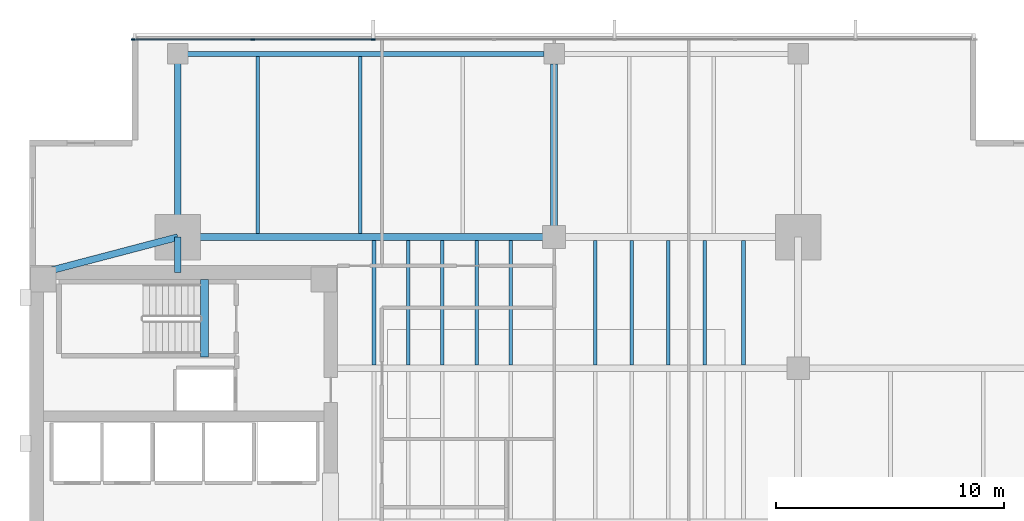
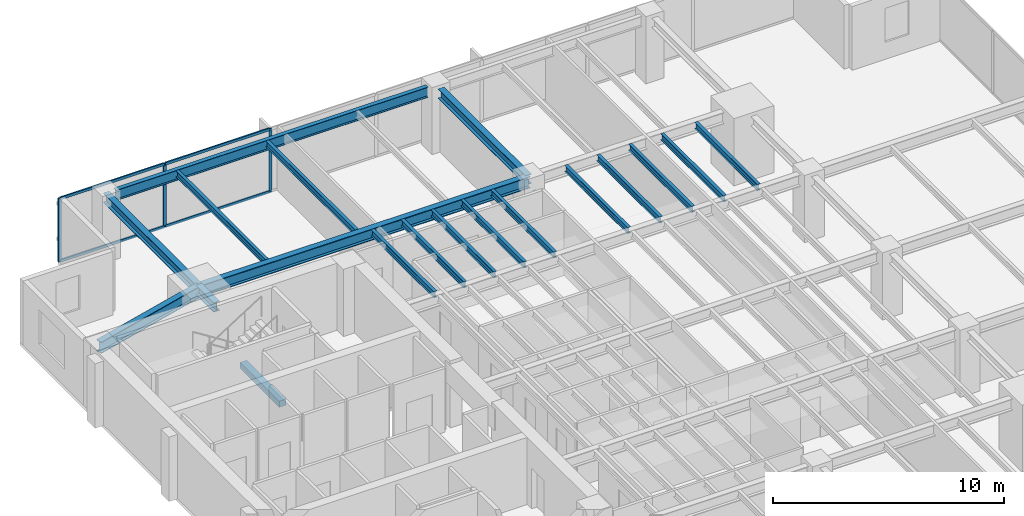
# One storey, part 5 of 14: 19 beams, 7 members, 1 element without a shape of its own.
"""IFC4 building model written with IfcOpenShell, lengths in metres."""

from ifc_helpers import new_model, si_unit, direction, frame, origin, origin_2d, place, context, subcontext, project, spatial, rectangle, i_section, extrude, material, layer, layer_set, material_profile, profile_set, type_object, element, aggregate, save


model = new_model("IFC4")

# Units and contexts
model_context = context("Model", 3, precision=1e-05, world=origin(), true_north=direction((0.0, 1.0)))
body_context = subcontext(model_context, "Body", "Model", "MODEL_VIEW")
ifc_project = project(units=[si_unit("LENGTHUNIT", "METRE"), si_unit("AREAUNIT", "SQUARE_METRE"), si_unit("VOLUMEUNIT", "CUBIC_METRE"), si_unit("PLANEANGLEUNIT", "RADIAN"), si_unit("MASSUNIT", "GRAM", prefix="KILO")], contexts=[model_context])

# Site, building, storey
site_placement = place(None, origin())
site = spatial("IfcSite", under=ifc_project, at=site_placement, CompositionType="ELEMENT")
building_placement = place(site_placement, origin())
building = spatial("IfcBuilding", under=site, at=building_placement, Name="Kinhvarn Gate Tower", CompositionType="ELEMENT")
storey_placement = place(building_placement, frame((0.0, 0.0, 144.85009765625)))
storey = spatial("IfcBuildingStorey", under=building, at=storey_placement, Name="L38", CompositionType="ELEMENT", Elevation=144.85009765625)

# Beam
ifc_material_1 = material(Name="Concrete C50/60", Category="concrete")
ifc_material_profile_1 = material_profile(ifc_material_1, rectangle(XDim=0.340087890625, YDim=0.320068359375, at=origin_2d()), Name="RC 340x320")
ifc_profile_set_1 = profile_set([ifc_material_profile_1], Name="Concrete C50/60")
beam_type_1 = type_object("IfcBeamType", Name="BM-LND-500", PredefinedType="BEAM", material=ifc_profile_set_1)
beam_1_placement = place(storey_placement, frame((12.1650390625, 32.5, -0.16015625), z_axis=(0.0, 1.0, 0.0), x_axis=(-1.0, 0.0, 0.0)))
element("IfcBeam", 1, at=beam_1_placement, inside=storey, type_object=beam_type_1, Name="Stair ST2 Landing Nosing Beam (L38)", PredefinedType="BEAM", context=body_context, shape_type="SweptSolid", body=[
    extrude(rectangle(XDim=0.340087890625, YDim=0.320068359375, at=origin_2d()), origin(), (0.0, 0.0, 1.0), 3.39990234375),
])

# Curtain wall, members
ifc_material_2 = material(Name="Anodised aluminium AW-6063", Category="aluminium")
ifc_layer = layer(ifc_material_2, 0.179931640625)
ifc_layer_set = layer_set([ifc_layer], Name="Anodised aluminium AW-6063")
curtain_wall_type = type_object("IfcCurtainWallType", Name="CW-SYS-3", PredefinedType="NOTDEFINED", material=ifc_layer_set)
curtain_wall_placement = place(storey_placement, origin())
curtain_wall = element("IfcCurtainWall", 2, at=curtain_wall_placement, inside=storey, type_object=curtain_wall_type, Name="Curtain Wall CW3 (L38)", PredefinedType="NOTDEFINED")
ifc_material_profile_2 = material_profile(ifc_material_2, rectangle(XDim=0.06494140625, YDim=0.159912109375, at=origin_2d()), Name="ALU 65x160")
ifc_profile_set_2 = profile_set([ifc_material_profile_2], Name="Anodised aluminium AW-6063")
member_type_1 = type_object("IfcMemberType", Name="CW-MUL-160", PredefinedType="MULLION", material=ifc_profile_set_2)
member_1_placement = place(storey_placement, frame((19.571533203125, 46.409912109375, 0.0), z_axis=(0.0, 0.0, 1.0), x_axis=(0.0, -1.0, 0.0)))
member_1 = element("IfcMember", 3, at=member_1_placement, type_object=member_type_1, Name="CW3 mullion 6", PredefinedType="MULLION", context=body_context, shape_type="SweptSolid", body=[
    extrude(rectangle(XDim=0.06494140625, YDim=0.159912109375, at=origin_2d()), origin(), (0.0, 0.0, 1.0), 3.369873046875),
])
member_2_placement = place(storey_placement, frame((14.28564453125, 46.409912109375, 0.0), z_axis=(0.0, 0.0, 1.0), x_axis=(0.0, -1.0, 0.0)))
member_2 = element("IfcMember", 4, at=member_2_placement, type_object=member_type_1, Name="CW3 mullion 7", PredefinedType="MULLION", context=body_context, shape_type="SweptSolid", body=[
    extrude(rectangle(XDim=0.06494140625, YDim=0.159912109375, at=origin_2d()), origin(), (0.0, 0.0, 1.0), 3.369873046875),
])
member_3_placement = place(storey_placement, frame((9.032470703125, 46.409912109375, 0.0), z_axis=(0.0, 0.0, 1.0), x_axis=(0.0, -1.0, 0.0)))
member_3 = element("IfcMember", 5, at=member_3_placement, type_object=member_type_1, Name="CW3 mullion 8", PredefinedType="MULLION", context=body_context, shape_type="SweptSolid", body=[
    extrude(rectangle(XDim=0.06494140625, YDim=0.159912109375, at=origin_2d()), origin(), (0.0, 0.0, 1.0), 3.369873046875),
])
ifc_material_profile_3 = material_profile(ifc_material_2, rectangle(XDim=0.070068359375, YDim=0.139892578125, at=origin_2d()), Name="ALU 70x140")
ifc_profile_set_3 = profile_set([ifc_material_profile_3], Name="Anodised aluminium AW-6063")
member_type_2 = type_object("IfcMemberType", Name="CW-TRN-140", PredefinedType="USERDEFINED", material=ifc_profile_set_3)
member_4_placement = place(storey_placement, frame((19.538818359375, 46.409912109375, 0.034912109375), z_axis=(-1.0, 0.0, 0.0), x_axis=(0.0, -1.0, 0.0)))
member_4 = element("IfcMember", 6, at=member_4_placement, type_object=member_type_2, Name="CW3 transom 6.1", ObjectType="TRANSOM", PredefinedType="USERDEFINED", context=body_context, shape_type="SweptSolid", body=[
    extrude(rectangle(XDim=0.070068359375, YDim=0.139892578125, at=origin_2d()), origin(), (0.0, 0.0, 1.0), 5.220703125),
])
member_5_placement = place(storey_placement, frame((19.538818359375, 46.409912109375, 3.3349609375), z_axis=(-1.0, 0.0, 0.0), x_axis=(0.0, -1.0, 0.0)))
member_5 = element("IfcMember", 7, at=member_5_placement, type_object=member_type_2, Name="CW3 transom 6.2", ObjectType="TRANSOM", PredefinedType="USERDEFINED", context=body_context, shape_type="SweptSolid", body=[
    extrude(rectangle(XDim=0.070068359375, YDim=0.139892578125, at=origin_2d()), origin(), (0.0, 0.0, 1.0), 5.220703125),
])
member_6_placement = place(storey_placement, frame((14.253173828125, 46.409912109375, 0.034912109375), z_axis=(-1.0, 0.0, 0.0), x_axis=(0.0, -1.0, 0.0)))
member_6 = element("IfcMember", 8, at=member_6_placement, type_object=member_type_2, Name="CW3 transom 7.1", ObjectType="TRANSOM", PredefinedType="USERDEFINED", context=body_context, shape_type="SweptSolid", body=[
    extrude(rectangle(XDim=0.070068359375, YDim=0.139892578125, at=origin_2d()), origin(), (0.0, 0.0, 1.0), 5.188232421875),
])
member_7_placement = place(storey_placement, frame((14.253173828125, 46.409912109375, 3.3349609375), z_axis=(-1.0, 0.0, 0.0), x_axis=(0.0, -1.0, 0.0)))
member_7 = element("IfcMember", 9, at=member_7_placement, type_object=member_type_2, Name="CW3 transom 7.2", ObjectType="TRANSOM", PredefinedType="USERDEFINED", context=body_context, shape_type="SweptSolid", body=[
    extrude(rectangle(XDim=0.070068359375, YDim=0.139892578125, at=origin_2d()), origin(), (0.0, 0.0, 1.0), 5.188232421875),
])
aggregate(curtain_wall, [member_1, member_2, member_3, member_4, member_5, member_6, member_7])

# Beams
ifc_material_3 = material(Name="Steel S355", Category="steel")
ifc_material_profile_4 = material_profile(ifc_material_3, i_section(OverallWidth=0.300048828125, OverallDepth=0.5, WebThickness=0.014404296875, FlangeThickness=0.028076171875, at=origin_2d()), Name="HEB 500")
ifc_profile_set_4 = profile_set([ifc_material_profile_4], Name="Steel S355")
beam_type_2 = type_object("IfcBeamType", Name="STL-HEB500", PredefinedType="BEAM", material=ifc_profile_set_4)
beam_2_placement = place(storey_placement, frame((11.0, 36.199951171875, 3.119873046875), z_axis=(0.0, 1.0, 0.0), x_axis=(-1.0, 0.0, 0.0)))
element("IfcBeam", 10, at=beam_2_placement, inside=storey, type_object=beam_type_2, Name="Floor Beam PG-14 (L38 MCW-CN)", PredefinedType="BEAM", context=body_context, shape_type="SweptSolid", body=[
    extrude(i_section(OverallWidth=0.300048828125, OverallDepth=0.5, WebThickness=0.014404296875, FlangeThickness=0.028076171875, at=origin_2d()), origin(), (0.0, 0.0, 1.0), 1.550048828125),
])
beam_3_placement = place(storey_placement, frame((11.0, 37.75, 3.119873046875), z_axis=(0.0, 1.0, 0.0), x_axis=(-1.0, 0.0, 0.0)))
element("IfcBeam", 11, at=beam_3_placement, inside=storey, type_object=beam_type_2, Name="Floor Beam PG-14 (L38 MCW-N)", PredefinedType="BEAM", context=body_context, shape_type="SweptSolid", body=[
    extrude(i_section(OverallWidth=0.300048828125, OverallDepth=0.5, WebThickness=0.014404296875, FlangeThickness=0.028076171875, at=origin_2d()), origin(), (0.0, 0.0, 1.0), 8.030029296875),
])
beam_4_placement = place(storey_placement, frame((27.5, 37.75, 3.119873046875), z_axis=(0.0, 1.0, 0.0), x_axis=(-1.0, 0.0, 0.0)))
element("IfcBeam", 12, at=beam_4_placement, inside=storey, type_object=beam_type_2, Name="Floor Beam PG-14 (L38 SP27-N-TIE)", PredefinedType="BEAM", context=body_context, shape_type="SweptSolid", body=[
    extrude(i_section(OverallWidth=0.300048828125, OverallDepth=0.5, WebThickness=0.014404296875, FlangeThickness=0.028076171875, at=origin_2d()), origin(), (0.0, 0.0, 1.0), 7.594970703125),
])
ifc_material_profile_5 = material_profile(ifc_material_3, i_section(OverallWidth=0.300048828125, OverallDepth=0.60009765625, WebThickness=0.015380859375, FlangeThickness=0.030029296875, at=origin_2d()), Name="HEB 600")
ifc_profile_set_5 = profile_set([ifc_material_profile_5], Name="Steel S355")
beam_type_3 = type_object("IfcBeamType", Name="STL-HEB600", PredefinedType="BEAM", material=ifc_profile_set_5)
beam_5_placement = place(storey_placement, frame((11.0, 37.75, 3.06982421875), z_axis=(1.0, 0.0, 0.0), x_axis=(0.0, 1.0, 0.0)))
element("IfcBeam", 13, at=beam_5_placement, inside=storey, type_object=beam_type_3, Name="Floor Beam PG-16 (L38 MG-N1)", PredefinedType="BEAM", context=body_context, shape_type="SweptSolid", body=[
    extrude(i_section(OverallWidth=0.300048828125, OverallDepth=0.60009765625, WebThickness=0.015380859375, FlangeThickness=0.030029296875, at=origin_2d()), origin(), (0.0, 0.0, 1.0), 16.5),
])
beam_6_placement = place(storey_placement, frame((5.10009765625, 36.199951171875, 3.06982421875), z_axis=(0.967177623957, 0.254101246979, 0.0), x_axis=(-0.254101246979, 0.967177623957, 0.0)))
element("IfcBeam", 14, at=beam_6_placement, inside=storey, type_object=beam_type_3, Name="Floor Beam PG-16 (L38 MG-NW-DIAG)", PredefinedType="BEAM", context=body_context, shape_type="SweptSolid", body=[
    extrude(i_section(OverallWidth=0.300048828125, OverallDepth=0.60009765625, WebThickness=0.015380859375, FlangeThickness=0.030029296875, at=origin_2d()), origin(), (0.0, 0.0, 1.0), 6.10009765625),
])
ifc_material_profile_6 = material_profile(ifc_material_3, i_section(OverallWidth=0.159912109375, OverallDepth=0.330078125, WebThickness=0.007568359375, FlangeThickness=0.011474609375, at=origin_2d()), Name="IPE 330")
ifc_profile_set_6 = profile_set([ifc_material_profile_6], Name="Steel S355")
beam_type_4 = type_object("IfcBeamType", Name="STL-IPE330", PredefinedType="JOIST", material=ifc_profile_set_6)
for number, where, z_axis, x_axis, name in (
    (15, (19.60009765625, 32.14990234375, 3.204833984375), (0.0, 1.0, 0.0), (-1.0, 0.0, 0.0), "Floor Joist SB-03 (L38 JC-X196-3)"),
    (16, (21.10009765625, 32.14990234375, 3.204833984375), (0.0, 1.0, 0.0), (-1.0, 0.0, 0.0), "Floor Joist SB-03 (L38 JC-X211-3)"),
    (17, (22.60009765625, 32.14990234375, 3.204833984375), (0.0, 1.0, 0.0), (-1.0, 0.0, 0.0), "Floor Joist SB-03 (L38 JC-X226-3)"),
    (18, (24.10009765625, 32.14990234375, 3.204833984375), (0.0, 1.0, 0.0), (-1.0, 0.0, 0.0), "Floor Joist SB-03 (L38 JC-X241-3)"),
    (19, (25.60009765625, 32.14990234375, 3.204833984375), (0.0, 1.0, 0.0), (-1.0, 0.0, 0.0), "Floor Joist SB-03 (L38 JC-X256-3)"),
    (20, (29.300048828125, 32.14990234375, 3.204833984375), (0.0, 1.0, 0.0), (-1.0, 0.0, 0.0), "Floor Joist SB-03 (L38 JC-X293-3)"),
    (21, (30.89990234375, 32.14990234375, 3.204833984375), (0.0, 1.0, 0.0), (-1.0, 0.0, 0.0), "Floor Joist SB-03 (L38 JC-X309-3)"),
    (22, (32.5, 32.14990234375, 3.204833984375), (0.0, 1.0, 0.0), (-1.0, 0.0, 0.0), "Floor Joist SB-03 (L38 JC-X325-3)"),
    (23, (34.10009765625, 32.14990234375, 3.204833984375), (0.0, 1.0, 0.0), (-1.0, 0.0, 0.0), "Floor Joist SB-03 (L38 JC-X341-3)"),
    (24, (35.800048828125, 32.14990234375, 3.204833984375), (0.0, 1.0, 0.0), (-1.0, 0.0, 0.0), "Floor Joist SB-03 (L38 JC-X358-3)"),
):
    element("IfcBeam", number, at=place(storey_placement, frame(where, z_axis=z_axis, x_axis=x_axis)), inside=storey, type_object=beam_type_4, Name=name, PredefinedType="JOIST", context=body_context, shape_type="SweptSolid", body=[
        extrude(i_section(OverallWidth=0.159912109375, OverallDepth=0.330078125, WebThickness=0.007568359375, FlangeThickness=0.011474609375, at=origin_2d()), origin(), (0.0, 0.0, 1.0), 5.4501953125),
    ])
for number, where, z_axis, x_axis, name in (
    (25, (14.5, 37.89990234375, 3.204833984375), (0.0, 1.0, 0.0), (-1.0, 0.0, 0.0), "Floor Joist SB-03 (L38 JN-X145)"),
    (26, (19.0, 37.89990234375, 3.204833984375), (0.0, 1.0, 0.0), (-1.0, 0.0, 0.0), "Floor Joist SB-03 (L38 JN-X190)"),
):
    element("IfcBeam", number, at=place(storey_placement, frame(where, z_axis=z_axis, x_axis=x_axis)), inside=storey, type_object=beam_type_4, Name=name, PredefinedType="JOIST", context=body_context, shape_type="SweptSolid", body=[
        extrude(i_section(OverallWidth=0.159912109375, OverallDepth=0.330078125, WebThickness=0.007568359375, FlangeThickness=0.011474609375, at=origin_2d()), origin(), (0.0, 0.0, 1.0), 7.775146484375),
    ])
ifc_material_profile_7 = material_profile(ifc_material_3, i_section(OverallWidth=0.2099609375, OverallDepth=0.550048828125, WebThickness=0.010986328125, FlangeThickness=0.01708984375, at=origin_2d()), Name="IPE 550")
ifc_profile_set_7 = profile_set([ifc_material_profile_7], Name="Steel S355")
beam_type_5 = type_object("IfcBeamType", Name="STL-IPE550", PredefinedType="SPANDREL", material=ifc_profile_set_7)
beam_7_placement = place(storey_placement, frame((11.43505859375, 45.780029296875, 3.094970703125), z_axis=(1.0, 0.0, 0.0), x_axis=(0.0, 1.0, 0.0)))
element("IfcBeam", 27, at=beam_7_placement, inside=storey, type_object=beam_type_5, Name="Floor Spandrel SB-08 (L38 SP-N1)", PredefinedType="SPANDREL", context=body_context, shape_type="SweptSolid", body=[
    extrude(i_section(OverallWidth=0.2099609375, OverallDepth=0.550048828125, WebThickness=0.010986328125, FlangeThickness=0.01708984375, at=origin_2d()), origin(), (0.0, 0.0, 1.0), 15.6298828125),
])

save(model, "model.ifc")
